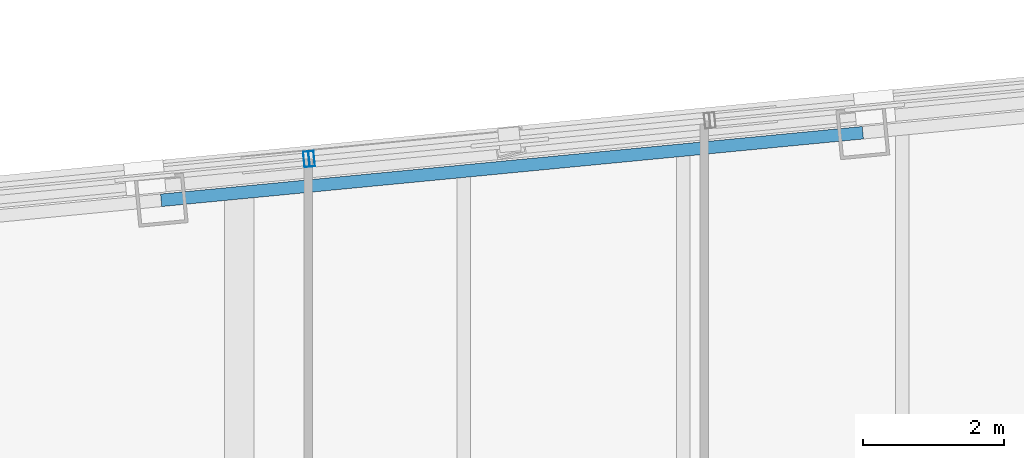
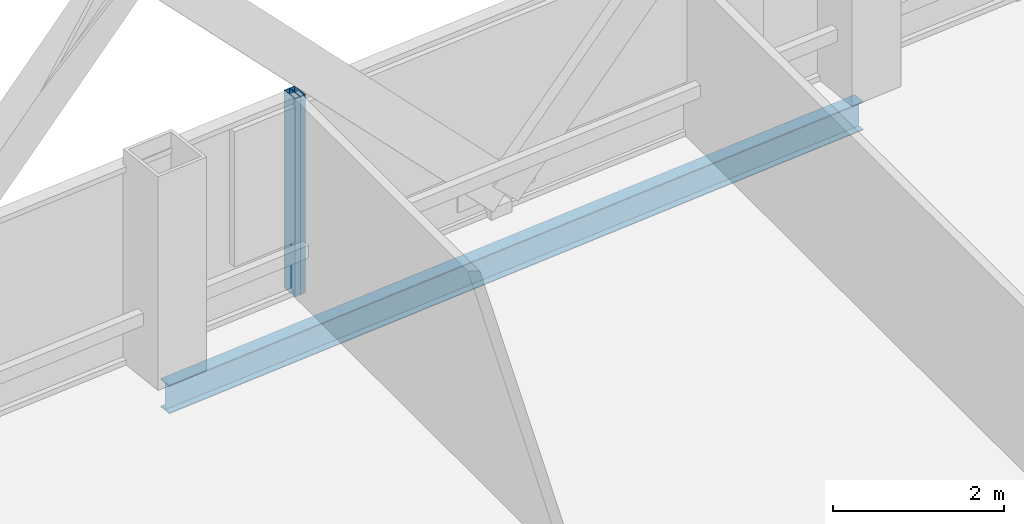
# One storey, part 22 of 34: 2 members, 1 beam, 2 elements without a shape of their own.
"""IFC4 building model written with IfcOpenShell, lengths in metres."""

from ifc_helpers import new_model, si_unit, direction, frame, origin, origin_2d, place, context, subcontext, project, spatial, hollow_rectangle, i_section, extrude, material, layer, layer_set, material_profile, profile_set, type_object, element, aggregate, save


model = new_model("IFC4")

# Units and contexts
model_context = context("Model", 3, precision=1e-05, world=origin(), true_north=direction((0.0, 1.0)))
body_context = subcontext(model_context, "Body", "Model", "MODEL_VIEW")
ifc_project = project(units=[si_unit("LENGTHUNIT", "METRE"), si_unit("AREAUNIT", "SQUARE_METRE"), si_unit("VOLUMEUNIT", "CUBIC_METRE"), si_unit("PLANEANGLEUNIT", "RADIAN"), si_unit("MASSUNIT", "GRAM", prefix="KILO")], contexts=[model_context])

# Site, building, storey
site_placement = place(None, origin())
site = spatial("IfcSite", under=ifc_project, at=site_placement, CompositionType="ELEMENT")
building_placement = place(site_placement, origin())
building = spatial("IfcBuilding", under=site, at=building_placement, Name="Qhalaya Broadcast Tower", CompositionType="ELEMENT")
storey_placement = place(building_placement, frame((0.0, 0.0, 168.35009765625)))
storey = spatial("IfcBuildingStorey", under=building, at=storey_placement, Name="L49", CompositionType="ELEMENT", Elevation=168.35009765625)

# Curtain wall, member
ifc_material_1 = material(Name="Fired Architectural Terracotta", Category="masonry")
ifc_layer_1 = layer(ifc_material_1, 0.219970703125, Name="Fired Architectural Terracotta")
ifc_layer_set_1 = layer_set([ifc_layer_1], Name="Fired Architectural Terracotta")
curtain_wall_type_1 = type_object("IfcCurtainWallType", Name="Block-Cap Unitised Terracotta Spandrel Wall CW-07", PredefinedType="NOTDEFINED", material=ifc_layer_set_1)
curtain_wall_1_placement = place(storey_placement, origin())
curtain_wall_1 = element("IfcCurtainWall", 1, at=curtain_wall_1_placement, inside=storey, type_object=curtain_wall_type_1, Name="L49 Unitised Curtain Wall L49-CW-N3", PredefinedType="NOTDEFINED")
ifc_material_2 = material(Name="Anodised Aluminium 6063-T6", Category="aluminium")
ifc_material_profile_1 = material_profile(ifc_material_2, hollow_rectangle(XDim=0.074951171875, YDim=0.219970703125, WallThickness=0.00390625, at=origin_2d()), Name="ALU-MUL 75x220x4")
ifc_profile_set_1 = profile_set([ifc_material_profile_1], Name="Anodised Aluminium 6063-T6")
member_type = type_object("IfcMemberType", Name="Unitised Curtain-Wall Mullion M01", PredefinedType="MULLION", material=ifc_profile_set_1)
member_1_placement = place(storey_placement, frame((-8.351318359375, 24.2041015625, 0.0), z_axis=(0.0, 0.0, 1.0), x_axis=(-0.995395435525, -0.095853674613, 0.0)))
member_1 = element("IfcMember", 2, at=member_1_placement, type_object=member_type, Name="CW-07 mullion 2", PredefinedType="MULLION", context=body_context, shape_type="SweptSolid", body=[
    extrude(hollow_rectangle(XDim=0.074951171875, YDim=0.219970703125, WallThickness=0.00390625, at=origin_2d()), origin(), (0.0, 0.0, 1.0), 2.829833984375),
])
aggregate(curtain_wall_1, [member_1])

ifc_material_3 = material(Name="Solar-Control Low-E Triple Glazing", Category="glass")
ifc_layer_2 = layer(ifc_material_3, 0.219970703125, Name="Solar-Control Low-E Triple Glazing")
ifc_layer_set_2 = layer_set([ifc_layer_2], Name="Solar-Control Low-E Triple Glazing")
curtain_wall_type_2 = type_object("IfcCurtainWallType", Name="Even-Block 4-Storey Double-Module Curtain Wall CW-03", PredefinedType="NOTDEFINED", material=ifc_layer_set_2)
curtain_wall_2_placement = place(storey_placement, origin())
curtain_wall_2 = element("IfcCurtainWall", 3, at=curtain_wall_2_placement, inside=storey, type_object=curtain_wall_type_2, Name="L49 Unitised Curtain Wall L49-CW-N4", PredefinedType="NOTDEFINED")
member_2_placement = place(storey_placement, frame((-8.426025390625, 24.19677734375, 0.0), z_axis=(0.0, 0.0, 1.0), x_axis=(-0.995395691478, -0.095851016624, 0.0)))
member_2 = element("IfcMember", 4, at=member_2_placement, type_object=member_type, Name="CW-03 mullion 1", PredefinedType="MULLION", context=body_context, shape_type="SweptSolid", body=[
    extrude(hollow_rectangle(XDim=0.074951171875, YDim=0.219970703125, WallThickness=0.00390625, at=origin_2d()), origin(), (0.0, 0.0, 1.0), 2.829833984375),
])
aggregate(curtain_wall_2, [member_2])

# Beam
ifc_material_4 = material(Name="Structural Steel ASTM A992 Grade 50", Category="steel")
ifc_material_profile_2 = material_profile(ifc_material_4, i_section(OverallWidth=0.177978515625, OverallDepth=0.406005859375, WebThickness=0.0078125, FlangeThickness=0.0126953125, at=origin_2d()), Name="W16X40")
ifc_profile_set_2 = profile_set([ifc_material_profile_2], Name="Structural Steel ASTM A992 Grade 50")
beam_type = type_object("IfcBeamType", Name="Upper Perimeter Spandrel Beam SP2", PredefinedType="SPANDREL", material=ifc_profile_set_2)
beam_placement = place(storey_placement, frame((-0.558837890625, 24.572509765625, -0.423095703125), z_axis=(-0.995395510024, -0.095852900965, 0.0), x_axis=(0.095852900965, -0.995395510024, 0.0)))
element("IfcBeam", 5, at=beam_placement, inside=storey, type_object=beam_type, Name="L49 SP2 L49-SPR-10", PredefinedType="SPANDREL", context=body_context, shape_type="SweptSolid", body=[
    extrude(i_section(OverallWidth=0.177978515625, OverallDepth=0.406005859375, WebThickness=0.0078125, FlangeThickness=0.0126953125, at=origin_2d()), origin(), (0.0, 0.0, 1.0), 9.966552734375),
])

save(model, "model.ifc")
